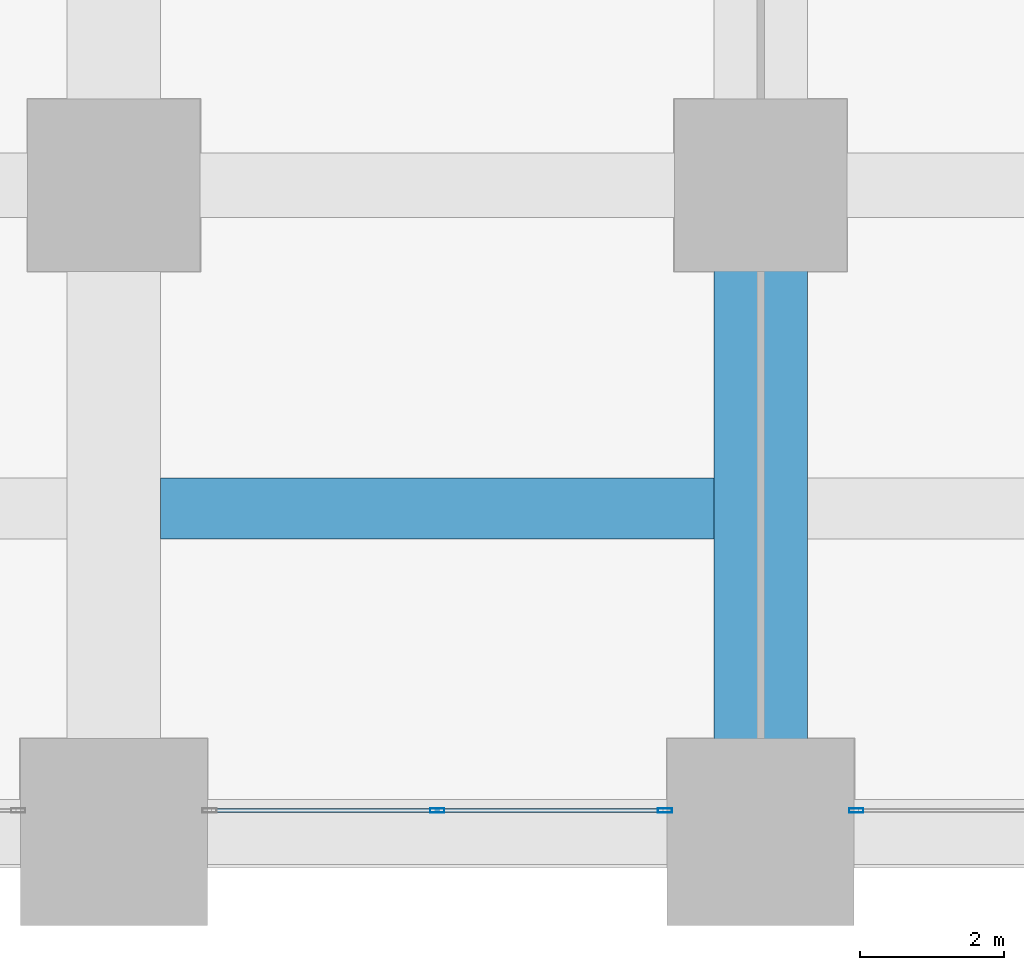
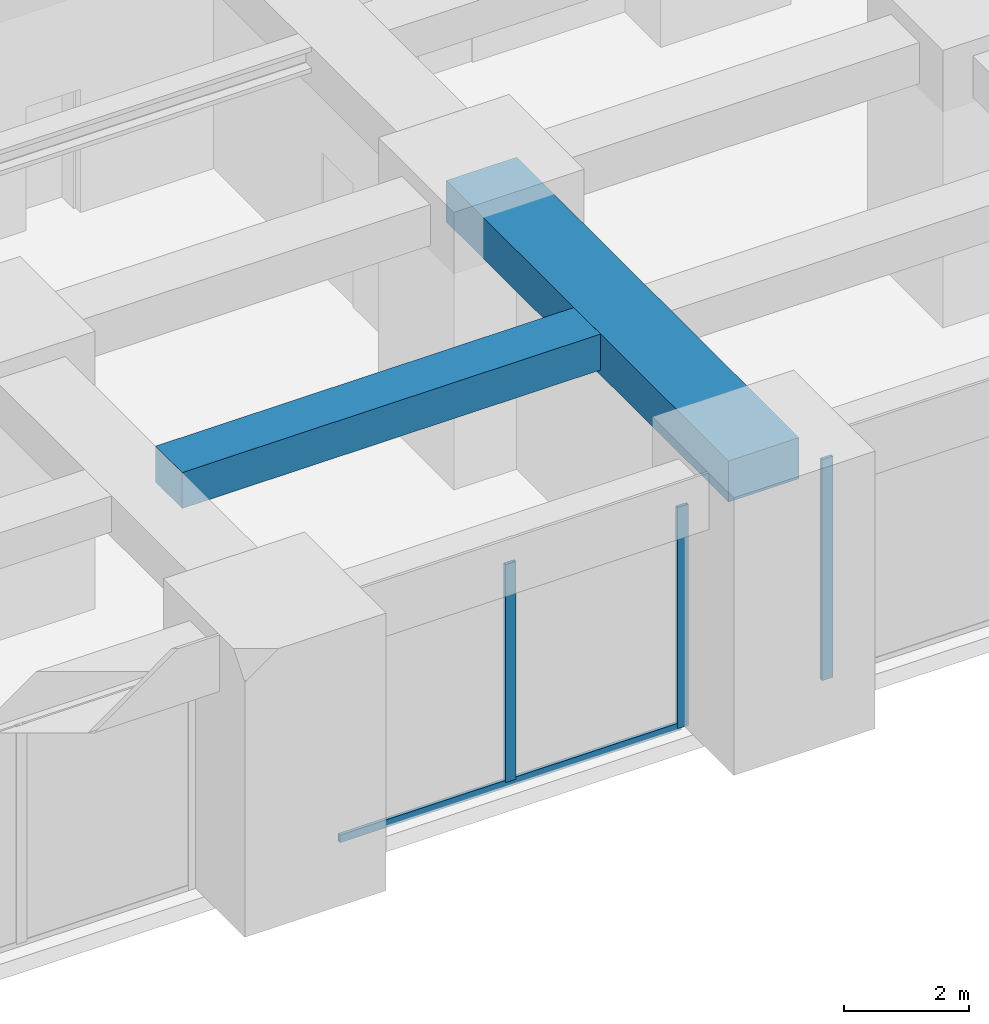
# One storey, part 15 of 45: 4 members, 2 beams, 2 elements without a shape of their own.
"""IFC4 building model written with IfcOpenShell, lengths in metres."""

from ifc_helpers import new_model, si_unit, direction, frame, origin, origin_2d, place, context, subcontext, project, spatial, rectangle, hollow_rectangle, extrude, material, material_profile, profile_set, type_object, element, aggregate, save


model = new_model("IFC4")

# Units and contexts
model_context = context("Model", 3, precision=1e-05, world=origin(), true_north=direction((0.0, 1.0)))
body_context = subcontext(model_context, "Body", "Model", "MODEL_VIEW")
ifc_project = project(units=[si_unit("LENGTHUNIT", "METRE"), si_unit("AREAUNIT", "SQUARE_METRE"), si_unit("VOLUMEUNIT", "CUBIC_METRE"), si_unit("PLANEANGLEUNIT", "RADIAN"), si_unit("MASSUNIT", "GRAM", prefix="KILO")], contexts=[model_context])

# Site, building, storey
site_placement = place(None, origin())
site = spatial("IfcSite", under=ifc_project, at=site_placement, CompositionType="ELEMENT")
building_placement = place(site_placement, origin())
building = spatial("IfcBuilding", under=site, at=building_placement, Name="Zorevar Civic Tower", CompositionType="ELEMENT")
storey_placement = place(building_placement, frame((0.0, 0.0, 5.39990234375)))
storey = spatial("IfcBuildingStorey", under=building, at=storey_placement, Name="L01", CompositionType="ELEMENT", Elevation=5.39990234375)

# Beams
ifc_material_1 = material(Name="Concrete C50/60", Category="concrete")
ifc_material_profile_1 = material_profile(ifc_material_1, rectangle(XDim=1.300048828125, YDim=0.800048828125, at=origin_2d()), Name="RC 1300x800")
ifc_profile_set_1 = profile_set([ifc_material_profile_1], Name="Concrete C50/60")
beam_type_1 = type_object("IfcBeamType", Name="Beam RC 1300x800", PredefinedType="BEAM", material=ifc_profile_set_1)
beam_1_placement = place(storey_placement, frame((45.0, 0.0, 4.7001953125), z_axis=(0.0, 1.0, 0.0), x_axis=(-1.0, 0.0, 0.0)))
element("IfcBeam", 1, at=beam_1_placement, inside=storey, type_object=beam_type_1, Name="Girder L02", PredefinedType="BEAM", context=body_context, shape_type="SweptSolid", body=[
    extrude(rectangle(XDim=1.300048828125, YDim=0.800048828125, at=origin_2d()), origin(), (0.0, 0.0, 1.0), 9.0),
])
ifc_material_2 = material(Name="Concrete C50/60", Category="concrete")
ifc_material_profile_2 = material_profile(ifc_material_2, rectangle(XDim=0.85009765625, YDim=0.699951171875, at=origin_2d()), Name="RC 850x700")
ifc_profile_set_2 = profile_set([ifc_material_profile_2], Name="Concrete C50/60")
beam_type_2 = type_object("IfcBeamType", Name="Beam RC 850x700", PredefinedType="BEAM", material=ifc_profile_set_2)
beam_2_placement = place(storey_placement, frame((36.64990234375, 4.5, 4.75), z_axis=(1.0, 0.0, 0.0), x_axis=(0.0, 1.0, 0.0)))
element("IfcBeam", 2, at=beam_2_placement, inside=storey, type_object=beam_type_2, Name="Secondary beam L02", PredefinedType="BEAM", context=body_context, shape_type="SweptSolid", body=[
    extrude(rectangle(XDim=0.85009765625, YDim=0.699951171875, at=origin_2d()), origin(), (0.0, 0.0, 1.0), 7.7001953125),
])

# Curtain wall, members
ifc_material_3 = material(Name="Dark grey solar-control glass in black aluminium frame", Category="aluminium")
curtain_wall_type = type_object("IfcCurtainWallType", Name="Curtain wall CW1 podium", PredefinedType="NOTDEFINED", material=ifc_material_3)
curtain_wall_1_placement = place(storey_placement, origin())
curtain_wall_1 = element("IfcCurtainWall", 3, at=curtain_wall_1_placement, inside=storey, type_object=curtain_wall_type, Name="CW1 L01", PredefinedType="NOTDEFINED")
ifc_material_4 = material(Name="Aluminium, black anodised", Category="aluminium")
ifc_material_profile_3 = material_profile(ifc_material_4, hollow_rectangle(XDim=0.06005859375, YDim=0.199951171875, WallThickness=0.00390625, at=origin_2d()), Name="AL 200x60x4")
ifc_profile_set_3 = profile_set([ifc_material_profile_3], Name="Aluminium, black anodised")
member_type_1 = type_object("IfcMemberType", Name="CW1 mullion AL 200x60x4", PredefinedType="MULLION", material=ifc_profile_set_3)
member_1_placement = place(storey_placement, frame((40.5, 0.300048828125, 0.06005859375), z_axis=(0.0, 0.0, 1.0), x_axis=(0.0, 1.0, 0.0)))
member_1 = element("IfcMember", 4, at=member_1_placement, type_object=member_type_1, Name="CW1 mullion 2", PredefinedType="MULLION", context=body_context, shape_type="SweptSolid", body=[
    extrude(hollow_rectangle(XDim=0.06005859375, YDim=0.199951171875, WallThickness=0.00390625, at=origin_2d()), origin(), (0.0, 0.0, 1.0), 4.239990234375),
])
member_2_placement = place(storey_placement, frame((43.669921875, 0.300048828125, 0.0), z_axis=(0.0, 0.0, 1.0), x_axis=(0.0, 1.0, 0.0)))
member_2 = element("IfcMember", 5, at=member_2_placement, type_object=member_type_1, Name="CW1 mullion 3", PredefinedType="MULLION", context=body_context, shape_type="SweptSolid", body=[
    extrude(hollow_rectangle(XDim=0.06005859375, YDim=0.199951171875, WallThickness=0.00390625, at=origin_2d()), origin(), (0.0, 0.0, 1.0), 4.300048828125),
])

# Curtain wall, member
curtain_wall_2_placement = place(storey_placement, origin())
curtain_wall_2 = element("IfcCurtainWall", 6, at=curtain_wall_2_placement, inside=storey, type_object=curtain_wall_type, Name="CW1 L01", PredefinedType="NOTDEFINED")
member_3_placement = place(storey_placement, frame((46.330078125, 0.300048828125, 0.0), z_axis=(0.0, 0.0, 1.0), x_axis=(0.0, 1.0, 0.0)))
member_3 = element("IfcMember", 7, at=member_3_placement, type_object=member_type_1, Name="CW1 mullion 1", PredefinedType="MULLION", context=body_context, shape_type="SweptSolid", body=[
    extrude(hollow_rectangle(XDim=0.06005859375, YDim=0.199951171875, WallThickness=0.00390625, at=origin_2d()), origin(), (0.0, 0.0, 1.0), 4.300048828125),
])
aggregate(curtain_wall_2, [member_3])

# Member
ifc_material_5 = material(Name="Aluminium, black anodised", Category="aluminium")
ifc_material_profile_4 = material_profile(ifc_material_5, hollow_rectangle(XDim=0.06005859375, YDim=0.14990234375, WallThickness=0.00390625, at=origin_2d()), Name="AL 150x60x4")
ifc_profile_set_4 = profile_set([ifc_material_profile_4], Name="Aluminium, black anodised")
member_type_2 = type_object("IfcMemberType", Name="CW1 transom AL 150x60x4", PredefinedType="USERDEFINED", material=ifc_profile_set_4)
member_4_placement = place(storey_placement, frame((37.360107421875, 0.300048828125, 0.030029296875), z_axis=(1.0, 0.0, 0.0), x_axis=(0.0, 1.0, 0.0)))
member_4 = element("IfcMember", 8, at=member_4_placement, type_object=member_type_2, Name="CW1 sill transom", ObjectType="TRANSOM", PredefinedType="USERDEFINED", context=body_context, shape_type="SweptSolid", body=[
    extrude(hollow_rectangle(XDim=0.06005859375, YDim=0.14990234375, WallThickness=0.00390625, at=origin_2d()), origin(), (0.0, 0.0, 1.0), 6.27978515625),
])

aggregate(curtain_wall_1, [member_1, member_2, member_4])

save(model, "model.ifc")
